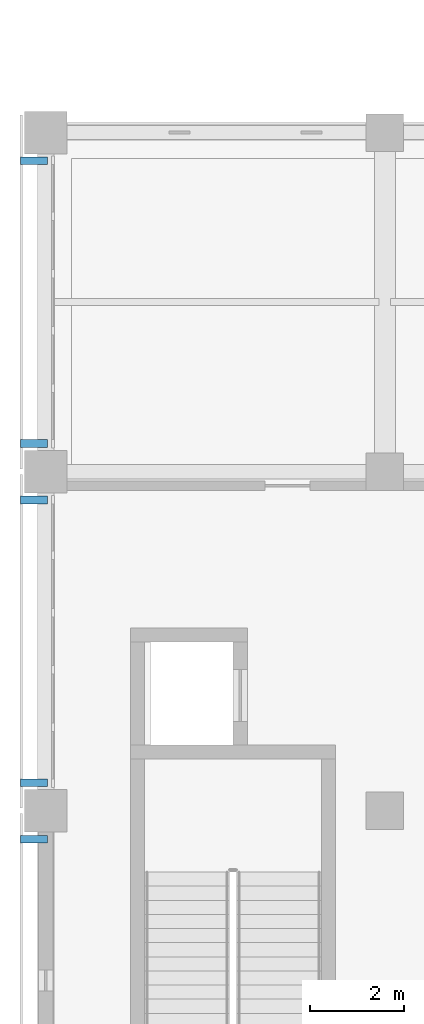
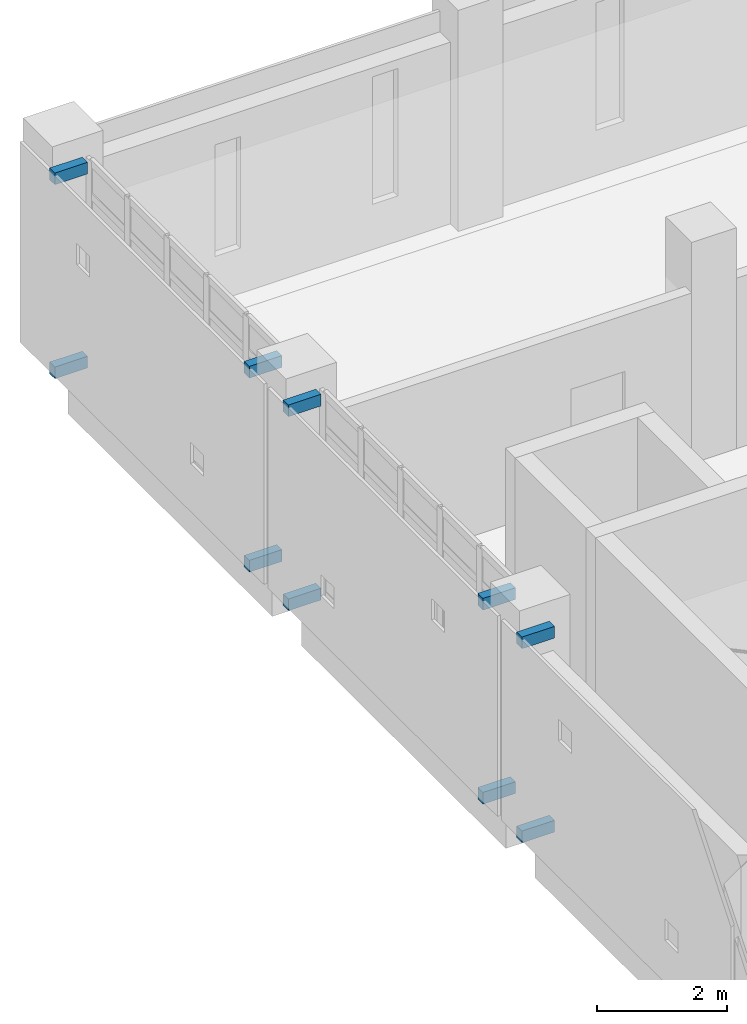
# One storey, part 45 of 57: 10 discrete accessories.
"""IFC4 building model written with IfcOpenShell, lengths in metres."""

from ifc_helpers import new_model, si_unit, direction, frame, origin, origin_2d, place, context, subcontext, project, spatial, rectangle, extrude, material, type_object, element, save


model = new_model("IFC4")

# Units and contexts
model_context = context("Model", 3, precision=1e-05, world=origin(), true_north=direction((0.0, 1.0)))
body_context = subcontext(model_context, "Body", "Model", "MODEL_VIEW")
ifc_project = project(units=[si_unit("LENGTHUNIT", "METRE"), si_unit("AREAUNIT", "SQUARE_METRE"), si_unit("VOLUMEUNIT", "CUBIC_METRE"), si_unit("PLANEANGLEUNIT", "RADIAN"), si_unit("MASSUNIT", "GRAM", prefix="KILO")], contexts=[model_context])

# Site, building, storey
site_placement = place(None, origin())
site = spatial("IfcSite", under=ifc_project, at=site_placement, CompositionType="ELEMENT")
building_placement = place(site_placement, origin())
building = spatial("IfcBuilding", under=site, at=building_placement, Name="Valkovuoma Quantum and Materials Research Institute", CompositionType="ELEMENT")
storey_placement = place(building_placement, frame((0.0, 0.0, 4.800048828125)))
storey = spatial("IfcBuildingStorey", under=building, at=storey_placement, Name="L01", CompositionType="ELEMENT", Elevation=4.800048828125)

# Discrete accessories
ifc_material = material(Name="Steel S355J2", Category="steel")
discrete_accessory_type = type_object("IfcDiscreteAccessoryType", Name="Brk-BRK-01", PredefinedType="BRACKET", material=ifc_material)
for number, where, z_axis, x_axis, name in (
    (1, (-0.25, 78.60009765625, -0.0302734375), (0.0, 0.0, 1.0), (1.0, 0.0, 0.0), "L01 screen bracket 00038"),
    (2, (-0.25, 78.60009765625, 3.6201171875), (0.0, 0.0, 1.0), (1.0, 0.0, 0.0), "L01 screen bracket 00040"),
    (3, (-0.25, 79.800048828125, -0.0302734375), (0.0, 0.0, 1.0), (1.0, 0.0, 0.0), "L01 screen bracket 00041"),
    (4, (-0.25, 85.800048828125, -0.0302734375), (0.0, 0.0, 1.0), (1.0, 0.0, 0.0), "L01 screen bracket 00042"),
    (5, (-0.25, 79.800048828125, 3.6201171875), (0.0, 0.0, 1.0), (1.0, 0.0, 0.0), "L01 screen bracket 00043"),
    (6, (-0.25, 85.800048828125, 3.6201171875), (0.0, 0.0, 1.0), (1.0, 0.0, 0.0), "L01 screen bracket 00044"),
    (7, (-0.25, 87.0, -0.0302734375), (0.0, 0.0, 1.0), (1.0, 0.0, 0.0), "L01 screen bracket 00045"),
    (8, (-0.25, 93.0, -0.0302734375), (0.0, 0.0, 1.0), (1.0, 0.0, 0.0), "L01 screen bracket 00046"),
    (9, (-0.25, 87.0, 3.6201171875), (0.0, 0.0, 1.0), (1.0, 0.0, 0.0), "L01 screen bracket 00047"),
    (10, (-0.25, 93.0, 3.6201171875), (0.0, 0.0, 1.0), (1.0, 0.0, 0.0), "L01 screen bracket 00048"),
):
    element("IfcDiscreteAccessory", number, at=place(storey_placement, frame(where, z_axis=z_axis, x_axis=x_axis)), inside=storey, type_object=discrete_accessory_type, Name=name, PredefinedType="BRACKET", context=body_context, shape_type="SweptSolid", body=[
        extrude(rectangle(XDim=0.580078125, YDim=0.159912109375, at=origin_2d()), origin(), (0.0, 0.0, 1.0), 0.219970703125),
    ])

save(model, "model.ifc")
